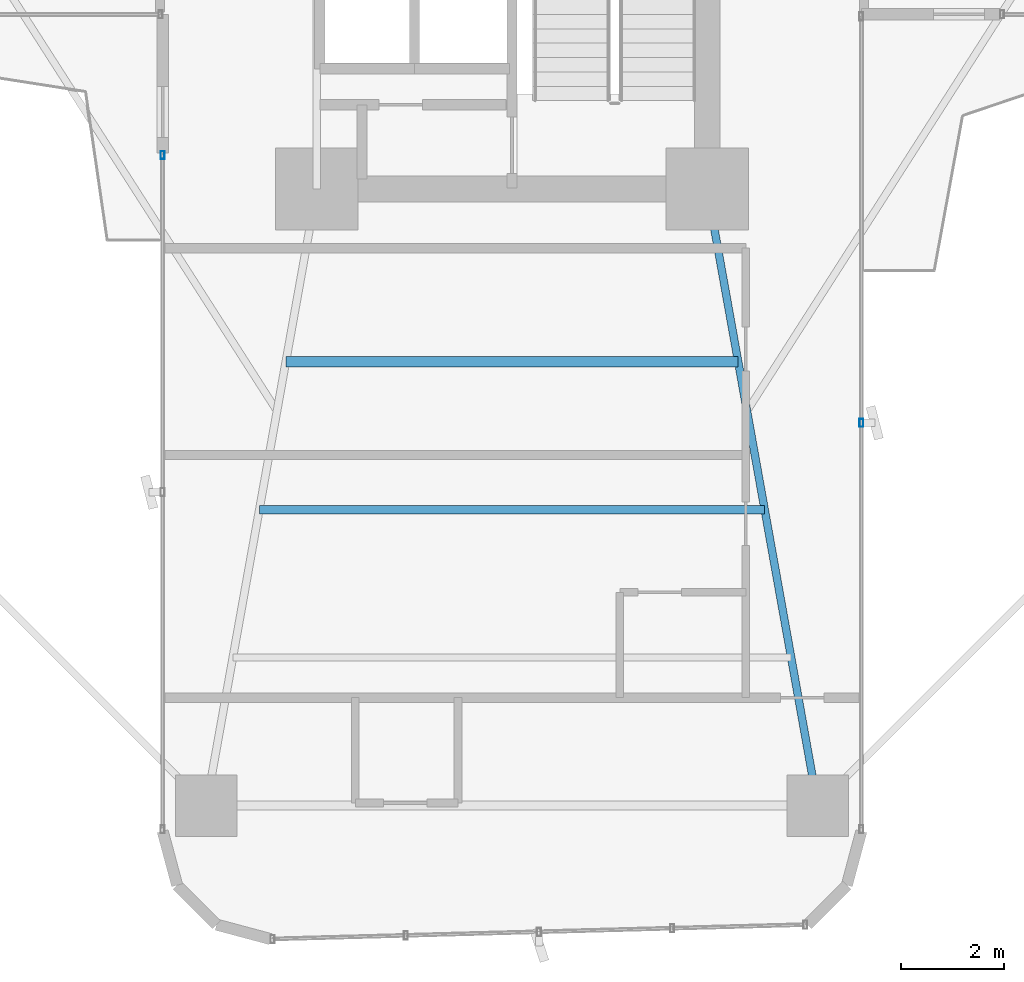
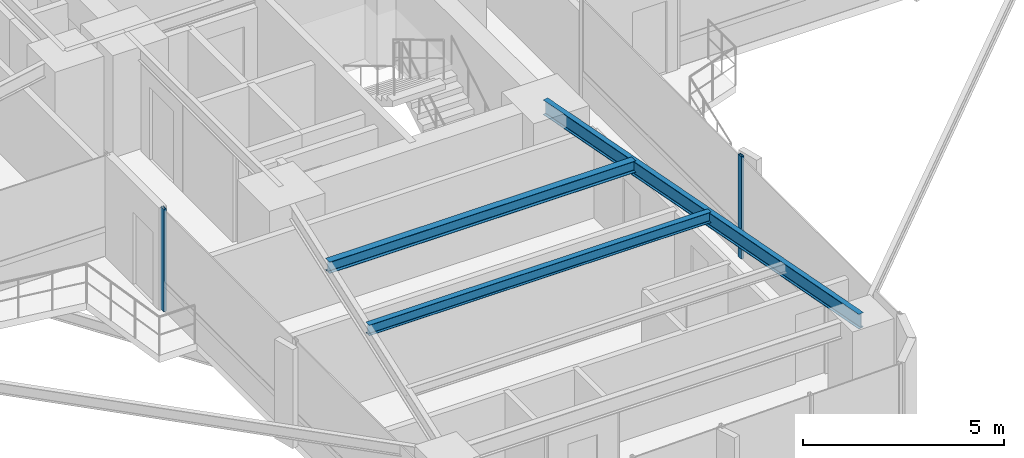
# One storey, part 4 of 25: 3 beams, 2 members, 2 elements without a shape of their own.
"""IFC4 building model written with IfcOpenShell, lengths in metres."""

from ifc_helpers import new_model, si_unit, direction, frame, origin, origin_2d, place, context, subcontext, project, spatial, hollow_rectangle, i_section, extrude, source, transform, mapped, material, material_profile, profile_set, type_object, element, aggregate, save


model = new_model("IFC4")

# Units and contexts
model_context = context("Model", 3, precision=1e-05, world=origin(), true_north=direction((0.0, 1.0)))
body_context = subcontext(model_context, "Body", "Model", "MODEL_VIEW")
ifc_project = project(units=[si_unit("LENGTHUNIT", "METRE"), si_unit("AREAUNIT", "SQUARE_METRE"), si_unit("VOLUMEUNIT", "CUBIC_METRE"), si_unit("PLANEANGLEUNIT", "RADIAN"), si_unit("MASSUNIT", "GRAM", prefix="KILO")], contexts=[model_context])

# Site, building, storey
site_placement = place(None, origin())
site = spatial("IfcSite", under=ifc_project, at=site_placement, CompositionType="ELEMENT")
building_placement = place(site_placement, origin())
building = spatial("IfcBuilding", under=site, at=building_placement, Name="Sahyath Konkavel Grand Hotel", CompositionType="ELEMENT")
storey_placement = place(building_placement, frame((0.0, 0.0, 54.39990234375)))
storey = spatial("IfcBuildingStorey", under=building, at=storey_placement, Name="L14", CompositionType="ELEMENT", Elevation=54.39990234375)

# Beams
ifc_material_1 = material(Name="Steel E350", Category="steel")
ifc_material_profile_1 = material_profile(ifc_material_1, i_section(OverallWidth=0.14990234375, OverallDepth=0.449951171875, WebThickness=0.009521484375, FlangeThickness=0.017333984375, FilletRadius=0.014892578125, at=origin_2d()), Name="ISMB 450")
ifc_profile_set_1 = profile_set([ifc_material_profile_1], Name="Steel E350")
beam_type_1 = type_object("IfcBeamType", Name="BM-ISMB450", PredefinedType="BEAM", material=ifc_profile_set_1)
shared_shape_1 = source(origin(), body_context, "Body", "SweptSolid", [
    extrude(i_section(OverallWidth=0.14990234375, OverallDepth=0.449951171875, WebThickness=0.009521484375, FlangeThickness=0.017333984375, FilletRadius=0.014892578125, at=origin_2d()), origin(), (0.0, 0.0, 1.0), 12.191162109375),
])
beam_1_placement = place(storey_placement, frame((3.800048828125, -10.199951171875, 2.885009765625), z_axis=(0.176350650305, -0.984327409014, 0.0), x_axis=(0.984327409014, 0.176350650305, 0.0)))
element("IfcBeam", 1, at=beam_1_placement, inside=storey, type_object=beam_type_1, Name="L14 Cruciform Radial Girder SB", PredefinedType="BEAM", context=body_context, shape_type="MappedRepresentation", body=[
    mapped(shared_shape_1, transform((0.0, 0.0, 0.0), scale=1.0)),
])
ifc_material_profile_2 = material_profile(ifc_material_1, i_section(OverallWidth=0.199951171875, OverallDepth=0.35009765625, WebThickness=0.008056640625, FlangeThickness=0.011474609375, FilletRadius=0.013916015625, at=origin_2d()), Name="ISWB 350")
ifc_profile_set_2 = profile_set([ifc_material_profile_2], Name="Steel E350")
beam_type_2 = type_object("IfcBeamType", Name="BM-ISWB350", PredefinedType="BEAM", material=ifc_profile_set_2)
shared_shape_2 = source(origin(), body_context, "Body", "SweptSolid", [
    extrude(i_section(OverallWidth=0.199951171875, OverallDepth=0.35009765625, WebThickness=0.008056640625, FlangeThickness=0.011474609375, FilletRadius=0.013916015625, at=origin_2d()), origin(), (0.0, 0.0, 1.0), 8.80419921875),
])
beam_2_placement = place(storey_placement, frame((-4.402099609375, -13.56005859375, 2.93505859375), z_axis=(1.0, 0.0, 0.0), x_axis=(0.0, 1.0, 0.0)))
element("IfcBeam", 2, at=beam_2_placement, inside=storey, type_object=beam_type_2, Name="L14 Secondary Floor Beam S-1", PredefinedType="BEAM", context=body_context, shape_type="MappedRepresentation", body=[
    mapped(shared_shape_2, transform((0.0, 0.0, 0.0), scale=1.0)),
])
ifc_material_profile_3 = material_profile(ifc_material_1, i_section(OverallWidth=0.1650390625, OverallDepth=0.324951171875, WebThickness=0.007080078125, FlangeThickness=0.009765625, FilletRadius=0.014892578125, at=origin_2d()), Name="ISLB 325")
ifc_profile_set_3 = profile_set([ifc_material_profile_3], Name="Steel E350")
beam_type_3 = type_object("IfcBeamType", Name="BM-ISLB325", PredefinedType="BEAM", material=ifc_profile_set_3)
shared_shape_3 = source(origin(), body_context, "Body", "SweptSolid", [
    extrude(i_section(OverallWidth=0.1650390625, OverallDepth=0.324951171875, WebThickness=0.007080078125, FlangeThickness=0.009765625, FilletRadius=0.014892578125, at=origin_2d()), origin(), (0.0, 0.0, 1.0), 9.8359375),
])
beam_3_placement = place(storey_placement, frame((-4.91796875, -16.43994140625, 2.947509765625), z_axis=(1.0, 0.0, 0.0), x_axis=(0.0, 1.0, 0.0)))
element("IfcBeam", 3, at=beam_3_placement, inside=storey, type_object=beam_type_3, Name="L14 Secondary Floor Beam S-2", PredefinedType="BEAM", context=body_context, shape_type="MappedRepresentation", body=[
    mapped(shared_shape_3, transform((0.0, 0.0, 0.0), scale=1.0)),
])

# Curtain wall, member
ifc_material_2 = material(Name="Anodised Bronze Aluminium & Low-E Glazing", Category="aluminium")
curtain_wall_type = type_object("IfcCurtainWallType", Name="CW-ZONE1", PredefinedType="NOTDEFINED", material=ifc_material_2)
curtain_wall_1_placement = place(storey_placement, origin())
curtain_wall_1 = element("IfcCurtainWall", 4, at=curtain_wall_1_placement, inside=storey, type_object=curtain_wall_type, Name="L14 Unitised Curtain Wall F24", PredefinedType="NOTDEFINED")
ifc_material_3 = material(Name="Anodised Bronze Aluminium", Category="aluminium")
ifc_material_profile_4 = material_profile(ifc_material_3, hollow_rectangle(XDim=0.080078125, YDim=0.159912109375, WallThickness=0.006103515625, at=origin_2d()), Name="RHS 160x80x6")
ifc_profile_set_4 = profile_set([ifc_material_profile_4], Name="Anodised Bronze Aluminium")
member_type = type_object("IfcMemberType", Name="CW-MUL-160", PredefinedType="MULLION", material=ifc_profile_set_4)
shared_shape_4 = source(origin(), body_context, "Body", "SweptSolid", [
    extrude(hollow_rectangle(XDim=0.080078125, YDim=0.159912109375, WallThickness=0.006103515625, at=origin_2d()), origin(), (0.0, 0.0, 1.0), 3.110107421875),
])
member_1_placement = place(storey_placement, frame((-6.800048828125, -9.5400390625, 0.0), z_axis=(0.0, 0.0, 1.0), x_axis=(1.0, 0.0, 0.0)))
member_1 = element("IfcMember", 5, at=member_1_placement, type_object=member_type, Name="L14 Curtain Wall Mullion F24-0", PredefinedType="MULLION", context=body_context, shape_type="MappedRepresentation", body=[
    mapped(shared_shape_4, transform((0.0, 0.0, 0.0), scale=1.0)),
])
aggregate(curtain_wall_1, [member_1])

curtain_wall_2_placement = place(storey_placement, origin())
curtain_wall_2 = element("IfcCurtainWall", 6, at=curtain_wall_2_placement, inside=storey, type_object=curtain_wall_type, Name="L14 Unitised Curtain Wall F31", PredefinedType="NOTDEFINED")
member_2_placement = place(storey_placement, frame((6.800048828125, -14.75, 0.0), z_axis=(0.0, 0.0, 1.0), x_axis=(1.0, 0.0, 0.0)))
member_2 = element("IfcMember", 7, at=member_2_placement, type_object=member_type, Name="L14 Curtain Wall Mullion F31-1", PredefinedType="MULLION", context=body_context, shape_type="MappedRepresentation", body=[
    mapped(shared_shape_4, transform((0.0, 0.0, 0.0), scale=1.0)),
])
aggregate(curtain_wall_2, [member_2])

save(model, "model.ifc")
